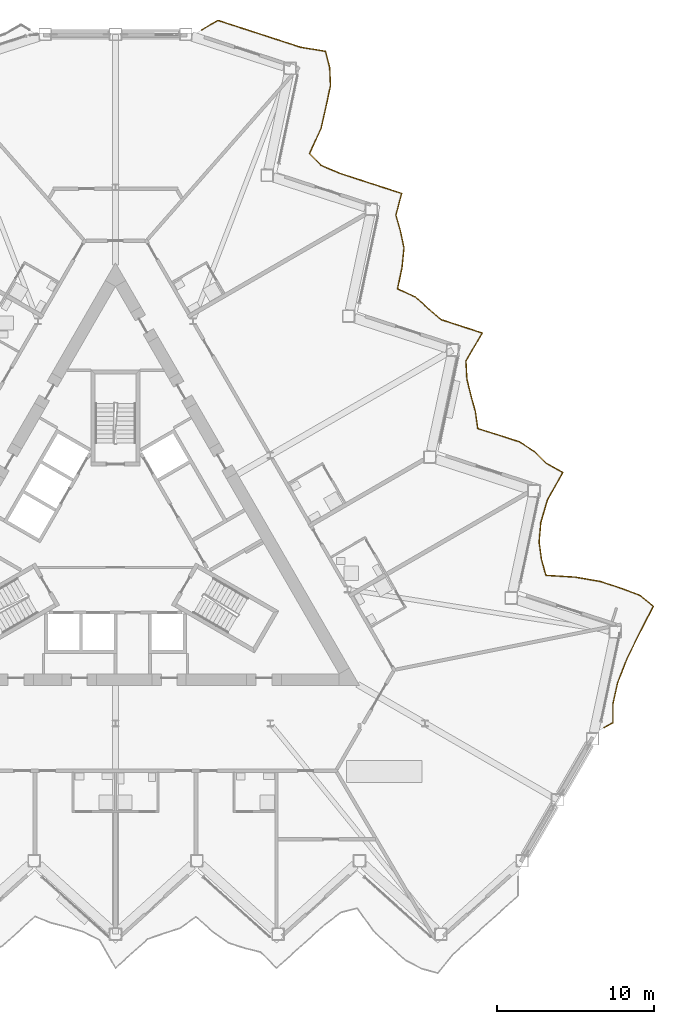
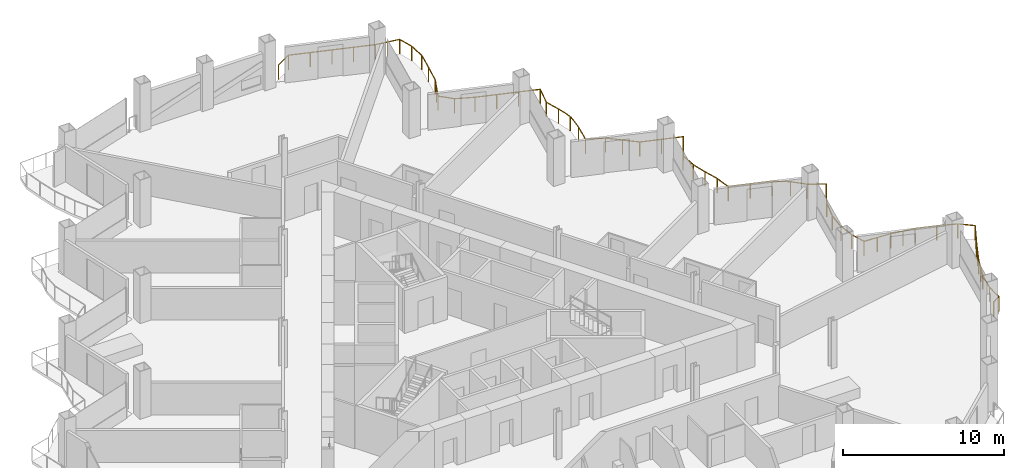
# One storey, part 21 of 23: 1 railing.
"""IFC4 building model written with IfcOpenShell, lengths in metres."""

from ifc_helpers import new_model, si_unit, direction, frame, origin, origin_2d, place, context, subcontext, project, spatial, circle, extrude, material, type_object, element, save


model = new_model("IFC4")

# Units and contexts
model_context = context("Model", 3, precision=1e-05, world=origin(), true_north=direction((0.0, 1.0)))
body_context = subcontext(model_context, "Body", "Model", "MODEL_VIEW")
ifc_project = project(units=[si_unit("LENGTHUNIT", "METRE"), si_unit("AREAUNIT", "SQUARE_METRE"), si_unit("VOLUMEUNIT", "CUBIC_METRE"), si_unit("PLANEANGLEUNIT", "RADIAN"), si_unit("MASSUNIT", "GRAM", prefix="KILO")], contexts=[model_context])

# Site, building, storey
site_placement = place(None, origin())
site = spatial("IfcSite", under=ifc_project, at=site_placement, CompositionType="ELEMENT")
building_placement = place(site_placement, origin())
building = spatial("IfcBuilding", under=site, at=building_placement, Name="Cormorant Prow Tower", CompositionType="ELEMENT")
storey_placement = place(building_placement, frame((0.0, 0.0, 169.199951171875)))
storey = spatial("IfcBuildingStorey", under=building, at=storey_placement, Name="L35", CompositionType="ELEMENT", Elevation=169.199951171875)

# Railing
ifc_material = material(Name="Aluminium 6063-T6", Category="aluminium")
railing_type = type_object("IfcRailingType", Name="Balcony guard 1100", PredefinedType="GUARDRAIL", material=ifc_material)
railing_placement = place(storey_placement, frame((31.031494140625, -11.619384765625, 0.0)))
element("IfcRailing", 1, at=railing_placement, inside=storey, type_object=railing_type, Name="Balcony guard ENE", PredefinedType="GUARDRAIL", context=body_context, shape_type="SweptSolid", body=[
    extrude(circle(Radius=0.02392578125, at=origin_2d()), frame((0.0, 0.0, 1.076171875), z_axis=(0.866204753408, 0.499689228594, 0.0), x_axis=(-0.499689228594, 0.866204753408, 0.0)), (0.0, 0.0, 1.0), 0.63623046875),
    extrude(circle(Radius=0.02392578125, at=origin_2d()), frame((0.551025390625, 0.31787109375, 1.076171875), z_axis=(0.001238900557, 0.999999232562, 0.0), x_axis=(-0.999999232562, 0.001238900557, 0.0)), (0.0, 0.0, 1.0), 1.182373046875),
    extrude(circle(Radius=0.02392578125, at=origin_2d()), frame((0.552490234375, 1.500244140625, 1.076171875), z_axis=(0.216837353632, 0.976207745344, 0.0), x_axis=(-0.976207745344, 0.216837353632, 0.0)), (0.0, 0.0, 1.0), 1.38818359375),
    extrude(circle(Radius=0.02392578125, at=origin_2d()), frame((0.853515625, 2.85546875, 1.076171875), z_axis=(0.363977820043, 0.931407615664, 0.0), x_axis=(-0.931407615664, 0.363977820043, 0.0)), (0.0, 0.0, 1.0), 1.637939453125),
    extrude(circle(Radius=0.02392578125, at=origin_2d()), frame((1.44970703125, 4.381103515625, 1.076171875), z_axis=(0.438820275915, 0.898574852444, 0.0), x_axis=(-0.898574852444, 0.438820275915, 0.0)), (0.0, 0.0, 1.0), 1.8310546875),
    extrude(circle(Radius=0.02392578125, at=origin_2d()), frame((2.253173828125, 6.0263671875, 1.076171875), z_axis=(0.456909757703, 0.889513054045, 0.0), x_axis=(-0.889513054045, 0.456909757703, 0.0)), (0.0, 0.0, 1.0), 1.888427734375),
    extrude(circle(Radius=0.02392578125, at=origin_2d()), frame((3.115966796875, 7.7060546875, 1.076171875), z_axis=(-0.768643216156, 0.639677736253, 0.0), x_axis=(-0.639677736253, -0.768643216156, 0.0)), (0.0, 0.0, 1.0), 1.09033203125),
    extrude(circle(Radius=0.02392578125, at=origin_2d()), frame((2.27783203125, 8.403564453125, 1.076171875), z_axis=(-0.936101707301, 0.351729432361, 0.0), x_axis=(-0.351729432361, -0.936101707301, 0.0)), (0.0, 0.0, 1.0), 1.324462890625),
    extrude(circle(Radius=0.02392578125, at=origin_2d()), frame((1.0380859375, 8.869384765625, 1.076171875), z_axis=(-0.951084882537, 0.308929678422, 0.0), x_axis=(-0.308929678422, -0.951084882537, 0.0)), (0.0, 0.0, 1.0), 1.376708984375),
    extrude(circle(Radius=0.02392578125, at=origin_2d()), frame((-0.271240234375, 9.294677734375, 1.076171875), z_axis=(-0.985748137908, 0.16822784731, 0.0), x_axis=(-0.16822784731, -0.985748137908, 0.0)), (0.0, 0.0, 1.0), 1.602294921875),
    extrude(circle(Radius=0.02392578125, at=origin_2d()), frame((-1.8505859375, 9.564208984375, 1.076171875), z_axis=(-0.998130705632, 0.061115419294, 0.0), x_axis=(-0.061115419294, -0.998130705632, 0.0)), (0.0, 0.0, 1.0), 1.853515625),
    extrude(circle(Radius=0.02392578125, at=origin_2d()), frame((-3.70068359375, 9.677490234375, 1.076171875), z_axis=(-0.267512799618, 0.963554306742, 0.0), x_axis=(-0.963554306742, -0.267512799618, 0.0)), (0.0, 0.0, 1.0), 1.056884765625),
    extrude(circle(Radius=0.02392578125, at=origin_2d()), frame((-3.9833984375, 10.69580078125, 1.076171875), z_axis=(-0.134246078402, 0.990948026101, 0.0), x_axis=(-0.990948026101, -0.134246078402, 0.0)), (0.0, 0.0, 1.0), 1.105712890625),
    extrude(circle(Radius=0.02392578125, at=origin_2d()), frame((-4.1318359375, 11.79150390625, 1.076171875), z_axis=(0.087734135506, 0.99614392608, 0.0), x_axis=(-0.99614392608, 0.087734135506, 0.0)), (0.0, 0.0, 1.0), 1.24951171875),
    extrude(circle(Radius=0.02392578125, at=origin_2d()), frame((-4.022216796875, 13.0361328125, 1.076171875), z_axis=(0.281996979435, 0.959415292556, 0.0), x_axis=(-0.959415292556, 0.281996979435, 0.0)), (0.0, 0.0, 1.0), 1.483154296875),
    extrude(circle(Radius=0.02392578125, at=origin_2d()), frame((-3.60400390625, 14.458984375, 1.076171875), z_axis=(0.488149709295, 0.872759910465, 0.0), x_axis=(-0.872759910465, 0.488149709295, 0.0)), (0.0, 0.0, 1.0), 1.99951171875),
    extrude(circle(Radius=0.02392578125, at=origin_2d()), frame((-2.6279296875, 16.2041015625, 1.076171875), z_axis=(-0.872019132688, 0.489471789, 0.0), x_axis=(-0.489471789, -0.872019132688, 0.0)), (0.0, 0.0, 1.0), 1.189697265625),
    extrude(circle(Radius=0.02392578125, at=origin_2d()), frame((-3.665283203125, 16.786376953125, 1.076171875), z_axis=(-0.710893849194, 0.703299321184, 0.0), x_axis=(-0.703299321184, -0.710893849194, 0.0)), (0.0, 0.0, 1.0), 1.060791015625),
    extrude(circle(Radius=0.02392578125, at=origin_2d()), frame((-4.41943359375, 17.532470703125, 1.076171875), z_axis=(-0.840854315224, 0.541261508487, 0.0), x_axis=(-0.541261508487, -0.840854315224, 0.0)), (0.0, 0.0, 1.0), 1.150634765625),
    extrude(circle(Radius=0.02392578125, at=origin_2d()), frame((-5.386962890625, 18.1552734375, 1.076171875), z_axis=(-0.951032765546, 0.309090082108, 0.0), x_axis=(-0.309090082108, -0.951032765546, 0.0)), (0.0, 0.0, 1.0), 1.376708984375),
    extrude(circle(Radius=0.02392578125, at=origin_2d()), frame((-6.6962890625, 18.580810546875, 1.076171875), z_axis=(-0.954367449084, 0.298634847478, 0.0), x_axis=(-0.298634847478, -0.954367449084, 0.0)), (0.0, 0.0, 1.0), 1.390625),
    extrude(circle(Radius=0.02392578125, at=origin_2d()), frame((-8.0234375, 18.99609375, 1.076171875), z_axis=(-0.142227709414, 0.989833965206, 0.0), x_axis=(-0.989833965206, -0.142227709414, 0.0)), (0.0, 0.0, 1.0), 1.10205078125),
    extrude(circle(Radius=0.02392578125, at=origin_2d()), frame((-8.18017578125, 20.0869140625, 1.076171875), z_axis=(-0.269741378874, 0.962932805819, 0.0), x_axis=(-0.962932805819, -0.269741378874, 0.0)), (0.0, 0.0, 1.0), 1.05615234375),
    extrude(circle(Radius=0.02392578125, at=origin_2d()), frame((-8.465087890625, 21.10400390625, 1.076171875), z_axis=(-0.234394392952, 0.972141588737, 0.0), x_axis=(-0.972141588737, -0.234394392952, 0.0)), (0.0, 0.0, 1.0), 1.066650390625),
    extrude(circle(Radius=0.02392578125, at=origin_2d()), frame((-8.715087890625, 22.140869140625, 1.076171875), z_axis=(-0.053831909847, 0.998550011508, 0.0), x_axis=(-0.998550011508, -0.053831909847, 0.0)), (0.0, 0.0, 1.0), 1.1474609375),
    extrude(circle(Radius=0.02392578125, at=origin_2d()), frame((-8.77685546875, 23.28662109375, 1.076171875), z_axis=(0.5024161652, 0.864625928911, 0.0), x_axis=(-0.864625928911, 0.5024161652, 0.0)), (0.0, 0.0, 1.0), 2.056396484375),
    extrude(circle(Radius=0.02392578125, at=origin_2d()), frame((-7.74365234375, 25.064697265625, 1.076171875), z_axis=(-0.951084882537, 0.308929678422, 0.0), x_axis=(-0.308929678422, -0.951084882537, 0.0)), (0.0, 0.0, 1.0), 1.376708984375),
    extrude(circle(Radius=0.02392578125, at=origin_2d()), frame((-9.052978515625, 25.489990234375, 1.076171875), z_axis=(-0.951032765546, 0.309090082108, 0.0), x_axis=(-0.309090082108, -0.951032765546, 0.0)), (0.0, 0.0, 1.0), 1.376708984375),
    extrude(circle(Radius=0.02392578125, at=origin_2d()), frame((-10.3623046875, 25.91552734375, 1.076171875), z_axis=(-0.755391403795, 0.655273856546, 0.0), x_axis=(-0.655273856546, -0.755391403795, 0.0)), (0.0, 0.0, 1.0), 1.082763671875),
    extrude(circle(Radius=0.02392578125, at=origin_2d()), frame((-11.18017578125, 26.625, 1.076171875), z_axis=(-0.742288433419, 0.67008050383, 0.0), x_axis=(-0.67008050383, -0.742288433419, 0.0)), (0.0, 0.0, 1.0), 1.0751953125),
    extrude(circle(Radius=0.02392578125, at=origin_2d()), frame((-11.978271484375, 27.345458984375, 1.076171875), z_axis=(-0.909793302603, 0.415061617762, 0.0), x_axis=(-0.415061617762, -0.909793302603, 0.0)), (0.0, 0.0, 1.0), 1.25634765625),
    extrude(circle(Radius=0.02392578125, at=origin_2d()), frame((-13.121337890625, 27.866943359375, 1.076171875), z_axis=(0.207833305176, 0.978164258834, 0.0), x_axis=(-0.978164258834, 0.207833305176, 0.0)), (0.0, 0.0, 1.0), 1.376708984375),
    extrude(circle(Radius=0.02392578125, at=origin_2d()), frame((-12.835205078125, 29.213623046875, 1.076171875), z_axis=(0.099407789169, 0.995046778525, 0.0), x_axis=(-0.995046778525, 0.099407789169, 0.0)), (0.0, 0.0, 1.0), 1.260009765625),
    extrude(circle(Radius=0.02392578125, at=origin_2d()), frame((-12.7099609375, 30.46728515625, 1.076171875), z_axis=(-0.207405502784, 0.978255057444, 0.0), x_axis=(-0.978255057444, -0.207405502784, 0.0)), (0.0, 0.0, 1.0), 1.075927734375),
    extrude(circle(Radius=0.02392578125, at=origin_2d()), frame((-12.93310546875, 31.519775390625, 1.076171875), z_axis=(-0.27621920783, 0.961094661948, 0.0), x_axis=(-0.961094661948, -0.27621920783, 0.0)), (0.0, 0.0, 1.0), 1.054443359375),
    extrude(circle(Radius=0.02392578125, at=origin_2d()), frame((-13.224365234375, 32.533203125, 1.076171875), z_axis=(0.253616412418, 0.967304871978, 0.0), x_axis=(-0.967304871978, 0.253616412418, 0.0)), (0.0, 0.0, 1.0), 1.439208984375),
    extrude(circle(Radius=0.02392578125, at=origin_2d()), frame((-12.859375, 33.92529296875, 1.076171875), z_axis=(-0.951032765546, 0.309090082108, 0.0), x_axis=(-0.309090082108, -0.951032765546, 0.0)), (0.0, 0.0, 1.0), 1.376708984375),
    extrude(circle(Radius=0.02392578125, at=origin_2d()), frame((-14.168701171875, 34.350830078125, 1.076171875), z_axis=(-0.951084882537, 0.308929678422, 0.0), x_axis=(-0.308929678422, -0.951084882537, 0.0)), (0.0, 0.0, 1.0), 1.376708984375),
    extrude(circle(Radius=0.02392578125, at=origin_2d()), frame((-15.47802734375, 34.776123046875, 1.076171875), z_axis=(-0.951032765546, 0.309090082108, 0.0), x_axis=(-0.309090082108, -0.951032765546, 0.0)), (0.0, 0.0, 1.0), 1.376708984375),
    extrude(circle(Radius=0.02392578125, at=origin_2d()), frame((-16.787353515625, 35.20166015625, 1.076171875), z_axis=(-0.920548561993, 0.390628141603, 0.0), x_axis=(-0.390628141603, -0.920548561993, 0.0)), (0.0, 0.0, 1.0), 1.28125),
    extrude(circle(Radius=0.02392578125, at=origin_2d()), frame((-17.966796875, 35.7021484375, 1.076171875), z_axis=(-0.698618454401, 0.715494413095, 0.0), x_axis=(-0.715494413095, -0.698618454401, 0.0)), (0.0, 0.0, 1.0), 1.05615234375),
    extrude(circle(Radius=0.02392578125, at=origin_2d()), frame((-18.70458984375, 36.457763671875, 1.076171875), z_axis=(0.41513789658, 0.909758499176, 0.0), x_axis=(-0.909758499176, 0.41513789658, 0.0)), (0.0, 0.0, 1.0), 1.76318359375),
    extrude(circle(Radius=0.02392578125, at=origin_2d()), frame((-17.97265625, 38.061767578125, 1.076171875), z_axis=(0.221083468792, 0.975254889671, 0.0), x_axis=(-0.975254889671, 0.221083468792, 0.0)), (0.0, 0.0, 1.0), 1.3935546875),
    extrude(circle(Radius=0.02392578125, at=origin_2d()), frame((-17.66455078125, 39.4208984375, 1.076171875), z_axis=(0.208002968159, 0.978128194685, 0.0), x_axis=(-0.978128194685, 0.208002968159, 0.0)), (0.0, 0.0, 1.0), 1.376708984375),
    extrude(circle(Radius=0.02392578125, at=origin_2d()), frame((-17.378173828125, 40.767578125, 1.076171875), z_axis=(-0.042950586858, 0.999077197762, 0.0), x_axis=(-0.999077197762, -0.042950586858, 0.0)), (0.0, 0.0, 1.0), 1.15380859375),
    extrude(circle(Radius=0.02392578125, at=origin_2d()), frame((-17.427734375, 41.92041015625, 1.076171875), z_axis=(-0.252646693234, 0.967558602048, 0.0), x_axis=(-0.967558602048, -0.252646693234, 0.0)), (0.0, 0.0, 1.0), 1.06103515625),
    extrude(circle(Radius=0.02392578125, at=origin_2d()), frame((-17.69580078125, 42.947021484375, 1.076171875), z_axis=(-0.986430773558, 0.16417773594, 0.0), x_axis=(-0.16417773594, -0.986430773558, 0.0)), (0.0, 0.0, 1.0), 1.610595703125),
    extrude(circle(Radius=0.02392578125, at=origin_2d()), frame((-19.284423828125, 43.21142578125, 1.076171875), z_axis=(-0.951032765546, 0.309090082108, 0.0), x_axis=(-0.309090082108, -0.951032765546, 0.0)), (0.0, 0.0, 1.0), 1.376708984375),
    extrude(circle(Radius=0.02392578125, at=origin_2d()), frame((-20.59375, 43.636962890625, 1.076171875), z_axis=(-0.951032765546, 0.309090082108, 0.0), x_axis=(-0.309090082108, -0.951032765546, 0.0)), (0.0, 0.0, 1.0), 1.376708984375),
    extrude(circle(Radius=0.02392578125, at=origin_2d()), frame((-21.903076171875, 44.0625, 1.076171875), z_axis=(-0.951084882537, 0.308929678422, 0.0), x_axis=(-0.308929678422, -0.951084882537, 0.0)), (0.0, 0.0, 1.0), 1.376708984375),
    extrude(circle(Radius=0.02392578125, at=origin_2d()), frame((-23.21240234375, 44.48779296875, 1.076171875), z_axis=(-0.951101803336, 0.308877580427, 0.0), x_axis=(-0.308877580427, -0.951101803336, 0.0)), (0.0, 0.0, 1.0), 1.376953125),
    extrude(circle(Radius=0.02392578125, at=origin_2d()), frame((-24.52197265625, 44.9130859375, 1.076171875), z_axis=(-0.866092288191, -0.499884134912, 0.0), x_axis=(0.499884134912, -0.866092288191, 0.0)), (0.0, 0.0, 1.0), 1.219970703125),
    extrude(circle(Radius=0.02099609375, at=origin_2d()), origin(), (0.0, 0.0, 1.0), 1.052001953125),
    extrude(circle(Radius=0.02099609375, at=origin_2d()), frame((0.551025390625, 0.31787109375, 0.0)), (0.0, 0.0, 1.0), 1.052001953125),
    extrude(circle(Radius=0.02099609375, at=origin_2d()), frame((0.552490234375, 1.500244140625, 0.0)), (0.0, 0.0, 1.0), 1.052001953125),
    extrude(circle(Radius=0.02099609375, at=origin_2d()), frame((0.853515625, 2.85546875, 0.0)), (0.0, 0.0, 1.0), 1.052001953125),
    extrude(circle(Radius=0.02099609375, at=origin_2d()), frame((1.151611328125, 3.6181640625, 0.0)), (0.0, 0.0, 1.0), 1.052001953125),
    extrude(circle(Radius=0.02099609375, at=origin_2d()), frame((1.44970703125, 4.381103515625, 0.0)), (0.0, 0.0, 1.0), 1.052001953125),
    extrude(circle(Radius=0.02099609375, at=origin_2d()), frame((1.8515625, 5.20361328125, 0.0)), (0.0, 0.0, 1.0), 1.052001953125),
    extrude(circle(Radius=0.02099609375, at=origin_2d()), frame((2.253173828125, 6.0263671875, 0.0)), (0.0, 0.0, 1.0), 1.052001953125),
    extrude(circle(Radius=0.02099609375, at=origin_2d()), frame((2.6845703125, 6.8662109375, 0.0)), (0.0, 0.0, 1.0), 1.052001953125),
    extrude(circle(Radius=0.02099609375, at=origin_2d()), frame((3.115966796875, 7.7060546875, 0.0)), (0.0, 0.0, 1.0), 1.052001953125),
    extrude(circle(Radius=0.02099609375, at=origin_2d()), frame((2.27783203125, 8.403564453125, 0.0)), (0.0, 0.0, 1.0), 1.052001953125),
    extrude(circle(Radius=0.02099609375, at=origin_2d()), frame((1.0380859375, 8.869384765625, 0.0)), (0.0, 0.0, 1.0), 1.052001953125),
    extrude(circle(Radius=0.02099609375, at=origin_2d()), frame((-0.271240234375, 9.294677734375, 0.0)), (0.0, 0.0, 1.0), 1.052001953125),
    extrude(circle(Radius=0.02099609375, at=origin_2d()), frame((-1.06103515625, 9.429443359375, 0.0)), (0.0, 0.0, 1.0), 1.052001953125),
    extrude(circle(Radius=0.02099609375, at=origin_2d()), frame((-1.8505859375, 9.564208984375, 0.0)), (0.0, 0.0, 1.0), 1.052001953125),
    extrude(circle(Radius=0.02099609375, at=origin_2d()), frame((-2.775634765625, 9.620849609375, 0.0)), (0.0, 0.0, 1.0), 1.052001953125),
    extrude(circle(Radius=0.02099609375, at=origin_2d()), frame((-3.70068359375, 9.677490234375, 0.0)), (0.0, 0.0, 1.0), 1.052001953125),
    extrude(circle(Radius=0.02099609375, at=origin_2d()), frame((-3.9833984375, 10.69580078125, 0.0)), (0.0, 0.0, 1.0), 1.052001953125),
    extrude(circle(Radius=0.02099609375, at=origin_2d()), frame((-4.1318359375, 11.79150390625, 0.0)), (0.0, 0.0, 1.0), 1.052001953125),
    extrude(circle(Radius=0.02099609375, at=origin_2d()), frame((-4.022216796875, 13.0361328125, 0.0)), (0.0, 0.0, 1.0), 1.052001953125),
    extrude(circle(Radius=0.02099609375, at=origin_2d()), frame((-3.60400390625, 14.458984375, 0.0)), (0.0, 0.0, 1.0), 1.052001953125),
    extrude(circle(Radius=0.02099609375, at=origin_2d()), frame((-3.115966796875, 15.33154296875, 0.0)), (0.0, 0.0, 1.0), 1.052001953125),
    extrude(circle(Radius=0.02099609375, at=origin_2d()), frame((-2.6279296875, 16.2041015625, 0.0)), (0.0, 0.0, 1.0), 1.052001953125),
    extrude(circle(Radius=0.02099609375, at=origin_2d()), frame((-3.665283203125, 16.786376953125, 0.0)), (0.0, 0.0, 1.0), 1.052001953125),
    extrude(circle(Radius=0.02099609375, at=origin_2d()), frame((-4.41943359375, 17.532470703125, 0.0)), (0.0, 0.0, 1.0), 1.052001953125),
    extrude(circle(Radius=0.02099609375, at=origin_2d()), frame((-5.386962890625, 18.1552734375, 0.0)), (0.0, 0.0, 1.0), 1.052001953125),
    extrude(circle(Radius=0.02099609375, at=origin_2d()), frame((-6.6962890625, 18.580810546875, 0.0)), (0.0, 0.0, 1.0), 1.052001953125),
    extrude(circle(Radius=0.02099609375, at=origin_2d()), frame((-8.0234375, 18.99609375, 0.0)), (0.0, 0.0, 1.0), 1.052001953125),
    extrude(circle(Radius=0.02099609375, at=origin_2d()), frame((-8.18017578125, 20.0869140625, 0.0)), (0.0, 0.0, 1.0), 1.052001953125),
    extrude(circle(Radius=0.02099609375, at=origin_2d()), frame((-8.465087890625, 21.10400390625, 0.0)), (0.0, 0.0, 1.0), 1.052001953125),
    extrude(circle(Radius=0.02099609375, at=origin_2d()), frame((-8.715087890625, 22.140869140625, 0.0)), (0.0, 0.0, 1.0), 1.052001953125),
    extrude(circle(Radius=0.02099609375, at=origin_2d()), frame((-8.77685546875, 23.28662109375, 0.0)), (0.0, 0.0, 1.0), 1.052001953125),
    extrude(circle(Radius=0.02099609375, at=origin_2d()), frame((-8.26025390625, 24.17578125, 0.0)), (0.0, 0.0, 1.0), 1.052001953125),
    extrude(circle(Radius=0.02099609375, at=origin_2d()), frame((-7.74365234375, 25.064697265625, 0.0)), (0.0, 0.0, 1.0), 1.052001953125),
    extrude(circle(Radius=0.02099609375, at=origin_2d()), frame((-9.052978515625, 25.489990234375, 0.0)), (0.0, 0.0, 1.0), 1.052001953125),
    extrude(circle(Radius=0.02099609375, at=origin_2d()), frame((-10.3623046875, 25.91552734375, 0.0)), (0.0, 0.0, 1.0), 1.052001953125),
    extrude(circle(Radius=0.02099609375, at=origin_2d()), frame((-11.18017578125, 26.625, 0.0)), (0.0, 0.0, 1.0), 1.052001953125),
    extrude(circle(Radius=0.02099609375, at=origin_2d()), frame((-11.978271484375, 27.345458984375, 0.0)), (0.0, 0.0, 1.0), 1.052001953125),
    extrude(circle(Radius=0.02099609375, at=origin_2d()), frame((-13.121337890625, 27.866943359375, 0.0)), (0.0, 0.0, 1.0), 1.052001953125),
    extrude(circle(Radius=0.02099609375, at=origin_2d()), frame((-12.835205078125, 29.213623046875, 0.0)), (0.0, 0.0, 1.0), 1.052001953125),
    extrude(circle(Radius=0.02099609375, at=origin_2d()), frame((-12.7099609375, 30.46728515625, 0.0)), (0.0, 0.0, 1.0), 1.052001953125),
    extrude(circle(Radius=0.02099609375, at=origin_2d()), frame((-12.93310546875, 31.519775390625, 0.0)), (0.0, 0.0, 1.0), 1.052001953125),
    extrude(circle(Radius=0.02099609375, at=origin_2d()), frame((-13.224365234375, 32.533203125, 0.0)), (0.0, 0.0, 1.0), 1.052001953125),
    extrude(circle(Radius=0.02099609375, at=origin_2d()), frame((-12.859375, 33.92529296875, 0.0)), (0.0, 0.0, 1.0), 1.052001953125),
    extrude(circle(Radius=0.02099609375, at=origin_2d()), frame((-14.168701171875, 34.350830078125, 0.0)), (0.0, 0.0, 1.0), 1.052001953125),
    extrude(circle(Radius=0.02099609375, at=origin_2d()), frame((-15.47802734375, 34.776123046875, 0.0)), (0.0, 0.0, 1.0), 1.052001953125),
    extrude(circle(Radius=0.02099609375, at=origin_2d()), frame((-16.787353515625, 35.20166015625, 0.0)), (0.0, 0.0, 1.0), 1.052001953125),
    extrude(circle(Radius=0.02099609375, at=origin_2d()), frame((-17.966796875, 35.7021484375, 0.0)), (0.0, 0.0, 1.0), 1.052001953125),
    extrude(circle(Radius=0.02099609375, at=origin_2d()), frame((-18.70458984375, 36.457763671875, 0.0)), (0.0, 0.0, 1.0), 1.052001953125),
    extrude(circle(Radius=0.02099609375, at=origin_2d()), frame((-18.338623046875, 37.259765625, 0.0)), (0.0, 0.0, 1.0), 1.052001953125),
    extrude(circle(Radius=0.02099609375, at=origin_2d()), frame((-17.97265625, 38.061767578125, 0.0)), (0.0, 0.0, 1.0), 1.052001953125),
    extrude(circle(Radius=0.02099609375, at=origin_2d()), frame((-17.66455078125, 39.4208984375, 0.0)), (0.0, 0.0, 1.0), 1.052001953125),
    extrude(circle(Radius=0.02099609375, at=origin_2d()), frame((-17.378173828125, 40.767578125, 0.0)), (0.0, 0.0, 1.0), 1.052001953125),
    extrude(circle(Radius=0.02099609375, at=origin_2d()), frame((-17.427734375, 41.92041015625, 0.0)), (0.0, 0.0, 1.0), 1.052001953125),
    extrude(circle(Radius=0.02099609375, at=origin_2d()), frame((-17.69580078125, 42.947021484375, 0.0)), (0.0, 0.0, 1.0), 1.052001953125),
    extrude(circle(Radius=0.02099609375, at=origin_2d()), frame((-18.490234375, 43.0791015625, 0.0)), (0.0, 0.0, 1.0), 1.052001953125),
    extrude(circle(Radius=0.02099609375, at=origin_2d()), frame((-19.284423828125, 43.21142578125, 0.0)), (0.0, 0.0, 1.0), 1.052001953125),
    extrude(circle(Radius=0.02099609375, at=origin_2d()), frame((-20.59375, 43.636962890625, 0.0)), (0.0, 0.0, 1.0), 1.052001953125),
    extrude(circle(Radius=0.02099609375, at=origin_2d()), frame((-21.903076171875, 44.0625, 0.0)), (0.0, 0.0, 1.0), 1.052001953125),
    extrude(circle(Radius=0.02099609375, at=origin_2d()), frame((-23.21240234375, 44.48779296875, 0.0)), (0.0, 0.0, 1.0), 1.052001953125),
    extrude(circle(Radius=0.02099609375, at=origin_2d()), frame((-24.52197265625, 44.9130859375, 0.0)), (0.0, 0.0, 1.0), 1.052001953125),
    extrude(circle(Radius=0.02099609375, at=origin_2d()), frame((-25.57861328125, 44.30322265625, 0.0)), (0.0, 0.0, 1.0), 1.052001953125),
])

save(model, "model.ifc")
